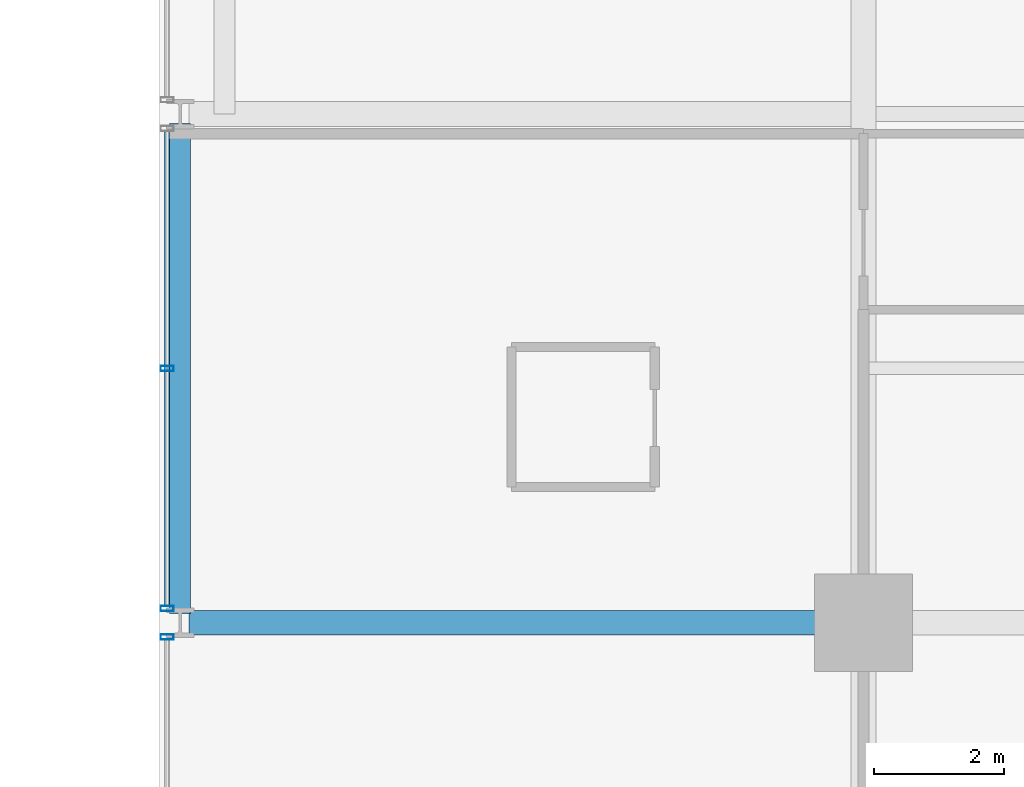
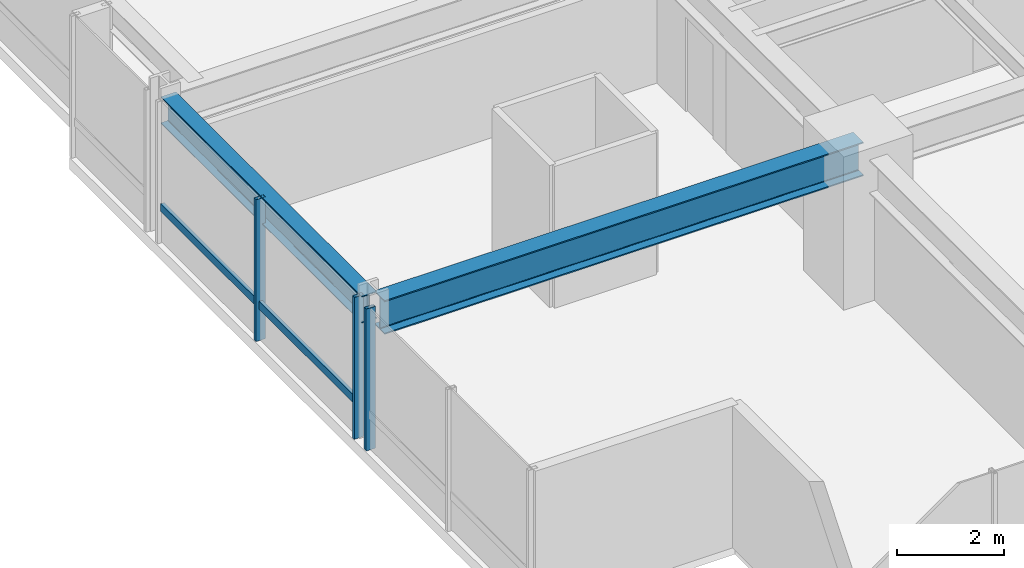
# One storey, part 4 of 34: 4 members, 2 beams, 2 elements without a shape of their own.
"""IFC4 building model written with IfcOpenShell, lengths in metres."""

import ifcopenshell
import ifcopenshell.guid

model = None  # the IFC model being written
_history = None  # IfcOwnerHistory: only IFC2X3 demands one
_inside = {}  # id of a spatial element -> (the spatial element, [elements in it])
_under = {}  # id of a project, library or spatial element -> (it, [spatial elements below it])
_declared = {}  # id of a project -> (the project, [libraries it declares])
_typed = {}  # id of a type object -> (the type object, [elements of that type])
_made_of = {}  # id of a material, layer set ... -> (it, [elements and type objects made of it])


def new_model(schema):
    """Start an empty IFC model of exactly this schema.

    Asked for "IFC4X3", IfcOpenShell would pick the latest addendum, in which some entities
    have other attributes; the version numbers below select the first issue.
    IFC2X3 requires an IfcOwnerHistory on every rooted entity: one is made here for all.
    """
    global model, _history
    if schema == "IFC4X3":
        model = ifcopenshell.file(schema_version=(4, 3, 0, 0))
    else:
        model = ifcopenshell.file(schema=schema)
    _inside.clear()
    _under.clear()
    _declared.clear()
    _typed.clear()
    _made_of.clear()
    _history = None
    if model.schema == "IFC2X3":
        org = make("IfcOrganization", Name="unknown")
        user = make(
            "IfcPersonAndOrganization",
            ThePerson=make("IfcPerson", FamilyName="unknown"),
            TheOrganization=org,
        )
        app = make(
            "IfcApplication",
            ApplicationDeveloper=org,
            Version="unknown",
            ApplicationFullName="unknown",
            ApplicationIdentifier="unknown",
        )
        _history = make(
            "IfcOwnerHistory",
            OwningUser=user,
            OwningApplication=app,
            ChangeAction="ADDED",
            CreationDate=0,
        )
    return model


def make(cls, **values):
    """One entity of the class cls with the attributes given. An attribute that is None is left unset."""
    return model.create_entity(
        cls, **{name: value for name, value in values.items() if value is not None}
    )


def rooted(cls, **values):
    """An entity with a GlobalId (a new one), such as an element, a storey or a relation."""
    return make(cls, GlobalId=ifcopenshell.guid.new(), OwnerHistory=_history, **values)


def si_unit(unit_type, name, prefix=None):
    """IfcSIUnit, for example si_unit("LENGTHUNIT", "METRE", prefix="MILLI")."""
    return make("IfcSIUnit", UnitType=unit_type, Prefix=prefix, Name=name)


def assignment(units):
    """IfcUnitAssignment: the units of a project."""
    return None if units is None else make("IfcUnitAssignment", Units=units)


def point(xyz):
    """IfcCartesianPoint."""
    return None if xyz is None else make("IfcCartesianPoint", Coordinates=xyz)


def direction(xyz):
    """IfcDirection."""
    return None if xyz is None else make("IfcDirection", DirectionRatios=xyz)


def frame(location, z_axis=None, x_axis=None):
    """IfcAxis2Placement3D, a coordinate frame: its origin and axes. An axis left out is left unset."""
    return make(
        "IfcAxis2Placement3D",
        Location=point(location),
        Axis=direction(z_axis),
        RefDirection=direction(x_axis),
    )


def frame_2d(location, x_axis=None):
    """IfcAxis2Placement2D, a coordinate frame in the plane: its origin and x axis."""
    return make(
        "IfcAxis2Placement2D", Location=point(location), RefDirection=direction(x_axis)
    )


def origin():
    """The frame at (0, 0, 0) with its axes left unset."""
    return frame((0.0, 0.0, 0.0))


def origin_2d():
    """The frame at (0, 0) in the plane with its x axis left unset."""
    return frame_2d((0.0, 0.0))


def place(relative_to, where):
    """IfcLocalPlacement: puts the frame where relative to a parent placement (None: the world)."""
    return make(
        "IfcLocalPlacement", PlacementRelTo=relative_to, RelativePlacement=where
    )


def context(
    kind, dimensions, precision=None, world=None, true_north=None, identifier=None
):
    """IfcGeometricRepresentationContext, for example the 3D "Model" context."""
    return make(
        "IfcGeometricRepresentationContext",
        ContextIdentifier=identifier,
        ContextType=kind,
        CoordinateSpaceDimension=dimensions,
        Precision=precision,
        WorldCoordinateSystem=world,
        TrueNorth=true_north,
    )


def subcontext(parent, identifier, kind, view, scale=None):
    """IfcGeometricRepresentationSubContext, for example "Body" below "Model"."""
    return make(
        "IfcGeometricRepresentationSubContext",
        ContextIdentifier=identifier,
        ContextType=kind,
        ParentContext=parent,
        TargetScale=scale,
        TargetView=view,
    )


def project(units=None, contexts=None):
    """IfcProject with its units and contexts."""
    return rooted(
        "IfcProject",
        Name="project",
        RepresentationContexts=contexts,
        UnitsInContext=assignment(units),
    )


def spatial(cls, under=None, at=None, **own):
    """A site, building, storey or space (cls), placed at a placement, below another one or the project."""
    s = rooted(cls, ObjectPlacement=at, **own)
    if under is not None:
        _under.setdefault(under.id(), (under, []))[1].append(s)
    return s


def profile(cls, at=None, kind="AREA", **sizes):
    """A parametric profile (cls). Its sizes go by their IFC names, for example OverallWidth=200.0."""
    return make(cls, ProfileType=kind, Position=at, **sizes)


def hollow_rectangle(**sizes):
    """IfcRectangleHollowProfileDef."""
    return profile("IfcRectangleHollowProfileDef", **sizes)


def i_section(**sizes):
    """IfcIShapeProfileDef."""
    return profile("IfcIShapeProfileDef", **sizes)


def extrude(swept, where, along, depth):
    """IfcExtrudedAreaSolid: the profile swept, set in the frame where, extruded along a direction by depth."""
    return make(
        "IfcExtrudedAreaSolid",
        SweptArea=swept,
        Position=where,
        ExtrudedDirection=direction(along),
        Depth=depth,
    )


def shape(context_of_items, identifier, shape_type, items):
    """IfcShapeRepresentation: the items that make up one representation, for example the "Body"."""
    return make(
        "IfcShapeRepresentation",
        ContextOfItems=context_of_items,
        RepresentationIdentifier=identifier,
        RepresentationType=shape_type,
        Items=items,
    )


def material(Name=None, Category=None):
    """IfcMaterial."""
    return make("IfcMaterial", Name=Name, Category=Category)


def layer(
    of_material, thickness, ventilated=None, Name=None, Category=None, Priority=None
):
    """IfcMaterialLayer: one layer of a wall or slab, of a material (None: an air gap)."""
    return make(
        "IfcMaterialLayer",
        Material=of_material,
        LayerThickness=thickness,
        IsVentilated=ventilated,
        Name=Name,
        Category=Category,
        Priority=Priority,
    )


def layer_set(layers, Name=None):
    """IfcMaterialLayerSet."""
    return make("IfcMaterialLayerSet", MaterialLayers=layers, LayerSetName=Name)


def material_profile(
    of_material, cross_section, Name=None, Category=None, Priority=None
):
    """IfcMaterialProfile: a cross section and its material."""
    return make(
        "IfcMaterialProfile",
        Name=Name,
        Material=of_material,
        Profile=cross_section,
        Priority=Priority,
        Category=Category,
    )


def profile_set(profiles, Name=None, composite=None):
    """IfcMaterialProfileSet."""
    return make(
        "IfcMaterialProfileSet",
        Name=Name,
        MaterialProfiles=profiles,
        CompositeProfile=composite,
    )


def made_of(thing, what):
    """Note that an element or type object is made of a material, layer set ...; save() writes the relation."""
    if what is not None:
        _made_of.setdefault(what.id(), (what, []))[1].append(thing)
    return thing


def type_object(cls, material=None, **own):
    """A type object (cls), such as IfcWallType, which elements share."""
    return made_of(rooted(cls, **own), material)


def element(
    cls,
    number,
    at=None,
    inside=None,
    cuts=None,
    type_object=None,
    material=None,
    context=None,
    identifier="Body",
    shape_type=None,
    held_by="IfcProductDefinitionShape",
    body=None,
    shapes=None,
    **own,
):
    """One element of the class cls, such as IfcWall. Its Tag is "e" and its number.

    at: its placement. inside: the storey or other place that contains it. cuts: it is an
    opening in that element (IfcRelVoidsElement). A single representation is given by context,
    identifier, shape_type and body (its items); several are given by shapes. held_by: the class
    of the entity that holds the representations. save() writes the other relations.
    """
    e = rooted(cls, Tag="e%d" % number, ObjectPlacement=at, **own)
    if body is not None:
        shapes = [shape(context, identifier, shape_type, body)]
    if shapes is not None:
        e.Representation = make(held_by, Representations=shapes)
    if inside is not None:
        _inside.setdefault(inside.id(), (inside, []))[1].append(e)
    if cuts is not None:
        rooted(
            "IfcRelVoidsElement", RelatingBuildingElement=cuts, RelatedOpeningElement=e
        )
    if type_object is not None:
        _typed.setdefault(type_object.id(), (type_object, []))[1].append(e)
    return made_of(e, material)


def aggregate(whole, parts):
    """IfcRelAggregates: a whole, such as a stair, and the parts it consists of."""
    return rooted("IfcRelAggregates", RelatingObject=whole, RelatedObjects=parts)


def save(model, path):
    """Write the relations noted so far, then the file.

    IfcRelAggregates (storeys below a building ...), IfcRelContainedInSpatialStructure (elements
    in a storey), IfcRelDefinesByType, IfcRelAssociatesMaterial and IfcRelDeclares: one each for
    every whole, place, type object, material and project.
    """
    for whole, parts in _under.values():
        aggregate(whole, parts)
    for where, things in _inside.values():
        rooted(
            "IfcRelContainedInSpatialStructure",
            RelatedElements=things,
            RelatingStructure=where,
        )
    for kind, things in _typed.values():
        rooted("IfcRelDefinesByType", RelatedObjects=things, RelatingType=kind)
    for what, things in _made_of.values():
        rooted("IfcRelAssociatesMaterial", RelatedObjects=things, RelatingMaterial=what)
    for by, libraries in _declared.values():
        rooted("IfcRelDeclares", RelatingContext=by, RelatedDefinitions=libraries)
    model.write(path)


model = new_model("IFC4")

# Units and contexts
model_context = context("Model", 3, precision=1e-05, world=origin(), true_north=direction((0.0, 1.0)))
body_context = subcontext(model_context, "Body", "Model", "MODEL_VIEW")
ifc_project = project(units=[si_unit("LENGTHUNIT", "METRE"), si_unit("AREAUNIT", "SQUARE_METRE"), si_unit("VOLUMEUNIT", "CUBIC_METRE"), si_unit("PLANEANGLEUNIT", "RADIAN"), si_unit("MASSUNIT", "GRAM", prefix="KILO")], contexts=[model_context])

# Site, building, storey
site_placement = place(None, origin())
site = spatial("IfcSite", under=ifc_project, at=site_placement, CompositionType="ELEMENT")
building_placement = place(site_placement, origin())
building = spatial("IfcBuilding", under=site, at=building_placement, Name="Drelvath Grand Hotel", CompositionType="ELEMENT")
storey_placement = place(building_placement, frame((0.0, 0.0, 109.300048828125)))
storey = spatial("IfcBuildingStorey", under=building, at=storey_placement, Name="L27", CompositionType="ELEMENT", Elevation=109.300048828125)

# Curtain wall, member
ifc_material_1 = material(Name="Champagne Bronze Anodised Aluminium Frame", Category="aluminium")
ifc_layer = layer(ifc_material_1, 0.199951171875)
ifc_layer_set = layer_set([ifc_layer], Name="Champagne Bronze Anodised Aluminium Frame")
curtain_wall_type = type_object("IfcCurtainWallType", Name="Stick Curtain Wall CW-03 Champagne Bronze Mid-Rise", PredefinedType="NOTDEFINED", material=ifc_layer_set)
curtain_wall_1_placement = place(storey_placement, origin())
curtain_wall_1 = element("IfcCurtainWall", 1, at=curtain_wall_1_placement, inside=storey, type_object=curtain_wall_type, Name="L27 CW-03 Curtain Wall CW03-L27-WS2", PredefinedType="NOTDEFINED")
ifc_material_profile_1 = material_profile(ifc_material_1, hollow_rectangle(XDim=0.074951171875, YDim=0.179931640625, WallThickness=0.0048828125, at=origin_2d()), Name="HSS180X75X5")
ifc_profile_set_1 = profile_set([ifc_material_profile_1], Name="Champagne Bronze Anodised Aluminium Frame")
member_type_1 = type_object("IfcMemberType", Name="Curtain Wall Horizontal Transom CW-03 HSS180X75X5", PredefinedType="USERDEFINED", material=ifc_profile_set_1)
member_1_placement = place(storey_placement, frame((-26.8798828125, 11.0595703125, 0.81005859375), z_axis=(0.0, 1.0, 0.0), x_axis=(-1.0, 0.0, 0.0)))
member_1 = element("IfcMember", 2, at=member_1_placement, type_object=member_type_1, Name="CW03-L27-WS2 Sill Transom", ObjectType="TRANSOM", PredefinedType="USERDEFINED", context=body_context, shape_type="SweptSolid", body=[
    extrude(hollow_rectangle(XDim=0.074951171875, YDim=0.179931640625, WallThickness=0.0048828125, at=origin_2d()), origin(), (0.0, 0.0, 1.0), 7.28076171875),
])

curtain_wall_2_placement = place(storey_placement, origin())
curtain_wall_2 = element("IfcCurtainWall", 3, at=curtain_wall_2_placement, inside=storey, type_object=curtain_wall_type, Name="L27 CW-03 Curtain Wall CW03-L27-WS1", PredefinedType="NOTDEFINED")
ifc_material_profile_2 = material_profile(ifc_material_1, hollow_rectangle(XDim=0.080078125, YDim=0.199951171875, WallThickness=0.0048828125, at=origin_2d()), Name="HSS200X80X5")
ifc_profile_set_2 = profile_set([ifc_material_profile_2], Name="Champagne Bronze Anodised Aluminium Frame")
member_type_2 = type_object("IfcMemberType", Name="Curtain Wall Vertical Mullion CW-03 HSS200X80X5", PredefinedType="MULLION", material=ifc_profile_set_2)
member_2_placement = place(storey_placement, frame((-26.8798828125, 10.580322265625, 0.0), z_axis=(0.0, 0.0, 1.0), x_axis=(0.0, 1.0, 0.0)))
member_2 = element("IfcMember", 4, at=member_2_placement, type_object=member_type_2, Name="CW03-L27-WS1 Mullion 3", PredefinedType="MULLION", context=body_context, shape_type="SweptSolid", body=[
    extrude(hollow_rectangle(XDim=0.080078125, YDim=0.199951171875, WallThickness=0.0048828125, at=origin_2d()), origin(), (0.0, 0.0, 1.0), 3.239990234375),
])
aggregate(curtain_wall_2, [member_2])

# Member
member_3_placement = place(storey_placement, frame((-26.8798828125, 11.01953125, 0.0), z_axis=(0.0, 0.0, 1.0), x_axis=(0.0, 1.0, 0.0)))
member_3 = element("IfcMember", 5, at=member_3_placement, type_object=member_type_2, Name="CW03-L27-WS2 Mullion 1", PredefinedType="MULLION", context=body_context, shape_type="SweptSolid", body=[
    extrude(hollow_rectangle(XDim=0.080078125, YDim=0.199951171875, WallThickness=0.0048828125, at=origin_2d()), origin(), (0.0, 0.0, 1.0), 3.239990234375),
])

member_4_placement = place(storey_placement, frame((-26.8798828125, 14.699951171875, 0.0), z_axis=(0.0, 0.0, 1.0), x_axis=(0.0, 1.0, 0.0)))
member_4 = element("IfcMember", 6, at=member_4_placement, type_object=member_type_2, Name="CW03-L27-WS2 Mullion 2", PredefinedType="MULLION", context=body_context, shape_type="SweptSolid", body=[
    extrude(hollow_rectangle(XDim=0.080078125, YDim=0.199951171875, WallThickness=0.0048828125, at=origin_2d()), origin(), (0.0, 0.0, 1.0), 3.239990234375),
])

aggregate(curtain_wall_1, [member_3, member_4, member_1])

# Beams
ifc_material_2 = material(Name="Steel ASTM A992 Gr 50", Category="steel")
ifc_material_profile_3 = material_profile(ifc_material_2, i_section(OverallWidth=0.323974609375, OverallDepth=0.611083984375, WebThickness=0.0126953125, FlangeThickness=0.01904296875, FilletRadius=0.02197265625, at=origin_2d()), Name="W24X104")
ifc_profile_set_3 = profile_set([ifc_material_profile_3], Name="Steel ASTM A992 Gr 50")
beam_type_1 = type_object("IfcBeamType", Name="Perimeter Spandrel Beam W24X104", PredefinedType="SPANDREL", material=ifc_profile_set_3)
beam_1_placement = place(storey_placement, frame((-26.679931640625, 10.93994140625, 2.9345703125), z_axis=(0.0, 1.0, 0.0), x_axis=(-1.0, 0.0, 0.0)))
element("IfcBeam", 7, at=beam_1_placement, inside=storey, type_object=beam_type_1, Name="L27 Spandrel West S", PredefinedType="SPANDREL", context=body_context, shape_type="SweptSolid", body=[
    extrude(i_section(OverallWidth=0.323974609375, OverallDepth=0.611083984375, WebThickness=0.0126953125, FlangeThickness=0.01904296875, FilletRadius=0.02197265625, at=origin_2d()), origin(), (0.0, 0.0, 1.0), 7.52001953125),
])
ifc_material_profile_4 = material_profile(ifc_material_2, i_section(OverallWidth=0.380615234375, OverallDepth=0.773193359375, WebThickness=0.0166015625, FlangeThickness=0.027099609375, FilletRadius=0.02490234375, at=origin_2d()), Name="W30X173")
ifc_profile_set_4 = profile_set([ifc_material_profile_4], Name="Steel ASTM A992 Gr 50")
beam_type_2 = type_object("IfcBeamType", Name="Primary Floor Girder W30X173", PredefinedType="BEAM", material=ifc_profile_set_4)
beam_2_placement = place(storey_placement, frame((-26.5400390625, 10.800048828125, 2.853271484375), z_axis=(1.0, 0.0, 0.0), x_axis=(0.0, 1.0, 0.0)))
element("IfcBeam", 8, at=beam_2_placement, inside=storey, type_object=beam_type_2, Name="L27 West Grid Girder C", PredefinedType="BEAM", context=body_context, shape_type="SweptSolid", body=[
    extrude(i_section(OverallWidth=0.380615234375, OverallDepth=0.773193359375, WebThickness=0.0166015625, FlangeThickness=0.027099609375, FilletRadius=0.02490234375, at=origin_2d()), origin(), (0.0, 0.0, 1.0), 10.340087890625),
])

save(model, "model.ifc")
